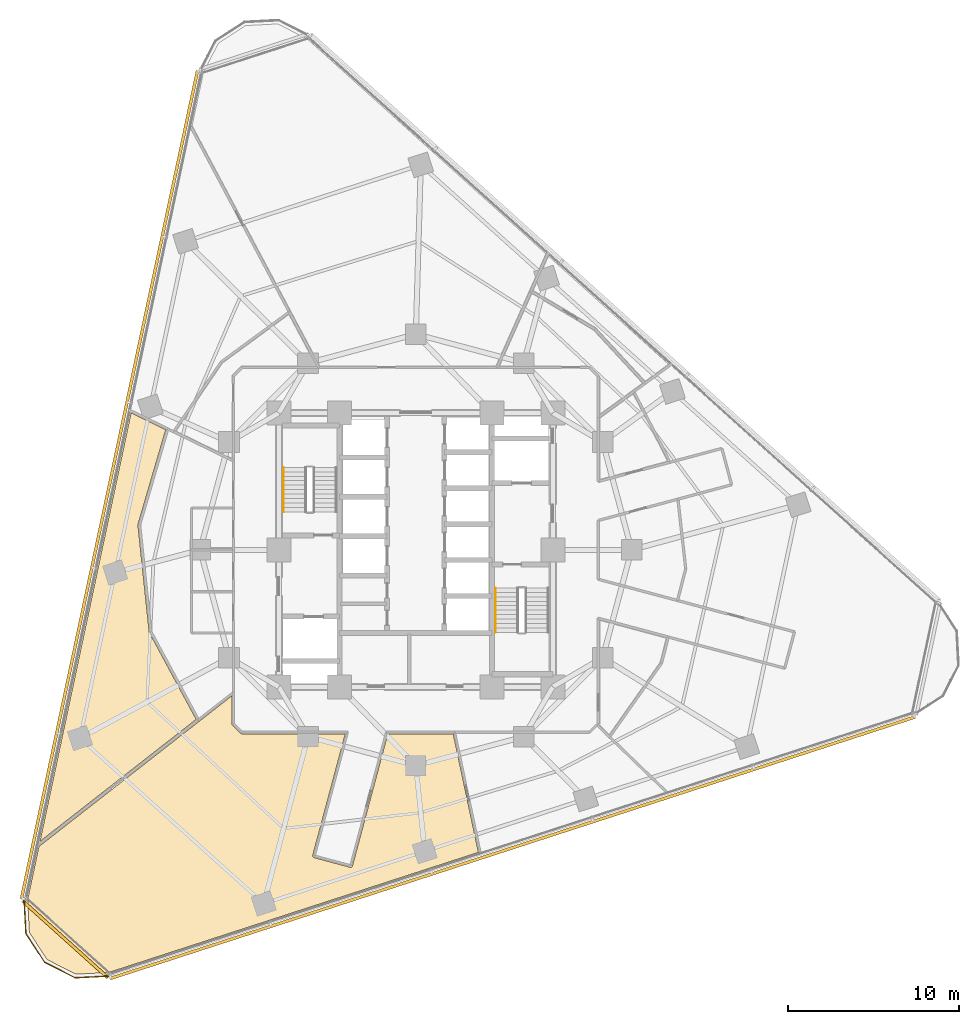
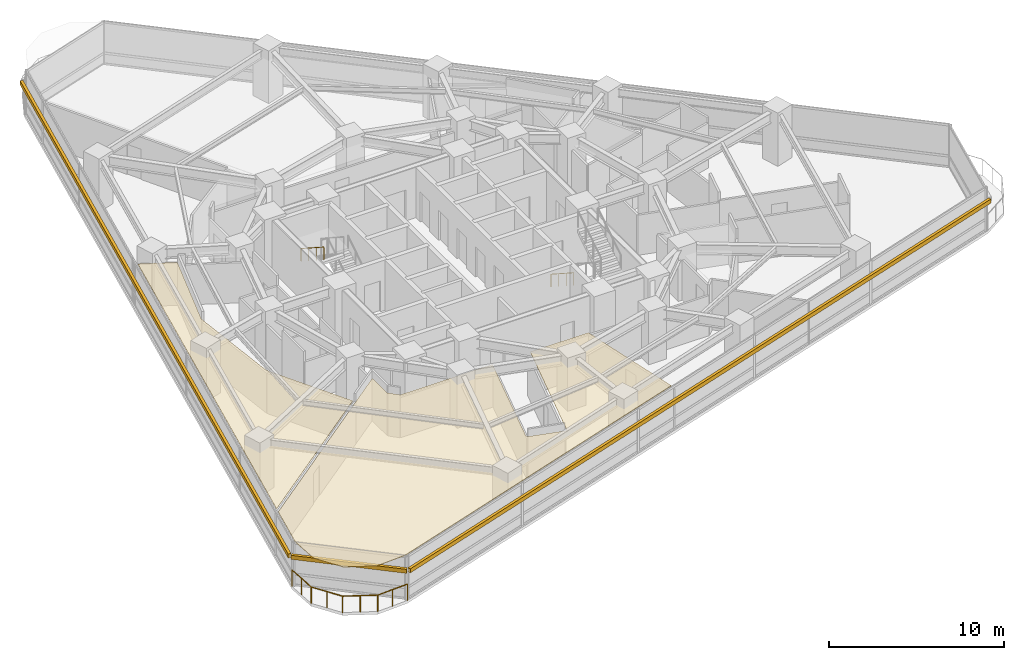
# One storey, part 11 of 13: 3 railings, 3 shading devices, 2 coverings.
"""IFC4 building model written with IfcOpenShell, lengths in metres."""

from ifc_helpers import new_model, si_unit, direction, frame, origin, origin_2d, place, context, subcontext, project, spatial, polyline, rectangle, circle, outline, extrude, material, layer, layer_set, type_object, element, save


model = new_model("IFC4")

# Units and contexts
model_context = context("Model", 3, precision=1e-05, world=origin(), true_north=direction((0.0, 1.0)))
body_context = subcontext(model_context, "Body", "Model", "MODEL_VIEW")
ifc_project = project(units=[si_unit("LENGTHUNIT", "METRE"), si_unit("AREAUNIT", "SQUARE_METRE"), si_unit("VOLUMEUNIT", "CUBIC_METRE"), si_unit("PLANEANGLEUNIT", "RADIAN"), si_unit("MASSUNIT", "GRAM", prefix="KILO")], contexts=[model_context])

# Site, building, storey
site_placement = place(None, origin())
site = spatial("IfcSite", under=ifc_project, at=site_placement, CompositionType="ELEMENT")
building_placement = place(site_placement, origin())
building = spatial("IfcBuilding", under=site, at=building_placement, Name="Terralouvre Media Tower", CompositionType="ELEMENT")
storey_placement = place(building_placement, frame((0.0, 0.0, 101.39990234375)))
storey = spatial("IfcBuildingStorey", under=building, at=storey_placement, Name="L25", CompositionType="ELEMENT", Elevation=101.39990234375)

# Coverings
ifc_material_1 = material(Name="Perforated aluminium acoustic ceiling baffle", Category="aluminium")
ifc_layer_1 = layer(ifc_material_1, 0.0400390625, Name="Perforated Acoustic Metal Tile Ceiling CL-AC1")
ifc_layer_set_1 = layer_set([ifc_layer_1], Name="Perforated aluminium acoustic ceiling baffle")
covering_type = type_object("IfcCoveringType", Name="Perforated Acoustic Metal Tile Ceiling CL-AC1", PredefinedType="CEILING", material=ifc_layer_set_1)
covering_1_placement = place(storey_placement, frame((0.0, 0.0, 2.97998046875), z_axis=(0.0, 0.0, 1.0), x_axis=(0.951056516295, 0.309016994375, 0.0)))
element("IfcCovering", 1, at=covering_1_placement, inside=storey, type_object=covering_type, Name="L25 Nutrition Tea Pantry 1 Acoustic Ceiling", PredefinedType="CEILING", context=body_context, shape_type="SweptSolid", body=[
    extrude(outline(polyline([(-4.880126953125, -9.717529296875), (-9.232421875, -16.420654296875), (-9.23828125, -16.428466796875), (-9.24462890625, -16.435791015625), (-9.251953125, -16.442626953125), (-9.259765625, -16.448486328125), (-9.26806640625, -16.45361328125), (-9.27685546875, -16.4580078125), (-9.2861328125, -16.46142578125), (-9.295654296875, -16.4638671875), (-9.30517578125, -16.465576171875), (-9.31494140625, -16.466064453125), (-9.324951171875, -16.4658203125), (-9.33447265625, -16.46435546875), (-9.343994140625, -16.462158203125), (-9.353515625, -16.458984375), (-9.3623046875, -16.454833984375), (-9.370849609375, -16.449951171875), (-11.216064453125, -15.252197265625), (-11.223876953125, -15.246337890625), (-11.231201171875, -15.239990234375), (-11.238037109375, -15.232666015625), (-11.243896484375, -15.224853515625), (-11.249267578125, -15.216552734375), (-11.25341796875, -15.207763671875), (-11.2568359375, -15.198486328125), (-11.25927734375, -15.18896484375), (-11.260986328125, -15.179443359375), (-11.261474609375, -15.16943359375), (-11.26123046875, -15.15966796875), (-11.259765625, -15.150146484375), (-11.257568359375, -15.140625), (-11.25439453125, -15.13134765625), (-11.25048828125, -15.122314453125), (-11.245361328125, -15.11376953125), (-7.242431640625, -8.949951171875), (-12.97509765625, -7.08740234375), (-12.984375, -7.083740234375), (-12.9931640625, -7.07958984375), (-13.00146484375, -7.07421875), (-13.00927734375, -7.068359375), (-13.016357421875, -7.0615234375), (-13.022705078125, -7.05419921875), (-13.0283203125, -7.046142578125), (-13.033447265625, -7.03759765625), (-13.354248046875, -6.407470703125), (-13.3583984375, -6.398681640625), (-13.361572265625, -6.389404296875), (-13.36376953125, -6.379638671875), (-13.364990234375, -6.3701171875), (-13.365234375, -6.360107421875), (-13.364501953125, -6.350341796875), (-13.363037109375, -6.3408203125), (-13.3603515625, -6.331298828125), (-12.858642578125, -4.786865234375), (-15.115234375, -5.6083984375), (-26.292724609375, -9.676025390625), (-27.874755859375, -12.416748046875), (-28.372314453125, -14.27197265625), (-27.883056640625, -16.0986328125), (-26.54638671875, -17.434814453125), (-24.69140625, -17.932373046875), (-1.98486328125, -17.931884765625), (-1.245849609375, -10.8984375), (-4.880126953125, -9.717529296875)])), origin(), (0.0, 0.0, 1.0), 0.0400390625),
])
covering_2_placement = place(storey_placement, frame((0.0, 0.0, 2.97998046875), z_axis=(0.0, 0.0, 1.0), x_axis=(0.951056516295, 0.309016994375, 0.0)))
element("IfcCovering", 2, at=covering_2_placement, inside=storey, type_object=covering_type, Name="L25 Club Administration Office 7 Acoustic Ceiling", PredefinedType="CEILING", context=body_context, shape_type="SweptSolid", body=[
    extrude(outline(polyline([(-16.296142578125, 0.218017578125), (-16.297607421875, 0.2275390625), (-16.2978515625, 0.2373046875), (-16.29736328125, 0.2470703125), (-16.295654296875, 0.2568359375), (-14.991455078125, 6.39404296875), (-14.98876953125, 6.403564453125), (-14.9853515625, 6.41259765625), (-14.981201171875, 6.42138671875), (-14.97607421875, 6.4296875), (-11.727783203125, 11.186767578125), (-13.34521484375, 12.7490234375), (-26.13720703125, -9.40673828125), (-15.26318359375, -5.449462890625), (-16.296142578125, 0.218017578125)])), origin(), (0.0, 0.0, 1.0), 0.0400390625),
])

# Railings
ifc_material_2 = material(Name="Stainless steel 316 handrail and balustrade", Category="steel")
ifc_layer_2 = layer(ifc_material_2, 0.06005859375, Name="Roof Edge Safety Guardrail GR-ROOF1")
ifc_layer_set_2 = layer_set([ifc_layer_2], Name="Stainless steel 316 handrail and balustrade")
railing_type_1 = type_object("IfcRailingType", Name="Roof Edge Safety Guardrail GR-ROOF1", PredefinedType="GUARDRAIL", material=ifc_layer_set_2)
railing_placement = place(storey_placement, frame((-22.8837890625, -20.395751953125, 0.0)))
element("IfcRailing", 3, at=railing_placement, inside=storey, type_object=railing_type_1, Name="L25 Wind-Corner Perimeter Safety Guardrail C0", PredefinedType="GUARDRAIL", context=body_context, shape_type="SweptSolid", body=[
    extrude(circle(Radius=0.02099609375, at=origin_2d()), frame((0.0, 0.0, 1.12890625), z_axis=(0.05204188706, -0.998644902851, 0.0), x_axis=(0.998644902851, 0.05204188706, 0.0)), (0.0, 0.0, 1.0), 2.0078125),
    extrude(circle(Radius=0.02099609375, at=origin_2d()), frame((0.1044921875, -2.005126953125, 1.12890625), z_axis=(0.544556562485, -0.838724120468, 0.0), x_axis=(0.838724120468, 0.544556562485, 0.0)), (0.0, 0.0, 1.0), 2.007568359375),
    extrude(circle(Radius=0.02099609375, at=origin_2d()), frame((1.19775390625, -3.68896484375, 1.12890625), z_axis=(0.891070121909, -0.453865660566, 0.0), x_axis=(0.453865660566, 0.891070121909, 0.0)), (0.0, 0.0, 1.0), 2.007568359375),
    extrude(circle(Radius=0.02099609375, at=origin_2d()), frame((2.986572265625, -4.60009765625, 1.12890625), z_axis=(0.998619508244, 0.052526924091, 0.0), x_axis=(-0.052526924091, 0.998619508244, 0.0)), (0.0, 0.0, 1.0), 2.0078125),
    extrude(circle(Radius=0.01904296875, at=origin_2d()), origin(), (0.0, 0.0, 1.0), 1.10791015625),
    extrude(circle(Radius=0.01904296875, at=origin_2d()), frame((0.05224609375, -1.00244140625, 0.0)), (0.0, 0.0, 1.0), 1.10791015625),
    extrude(circle(Radius=0.01904296875, at=origin_2d()), frame((0.1044921875, -2.005126953125, 0.0)), (0.0, 0.0, 1.0), 1.10791015625),
    extrude(circle(Radius=0.01904296875, at=origin_2d()), frame((0.651123046875, -2.84716796875, 0.0)), (0.0, 0.0, 1.0), 1.10791015625),
    extrude(circle(Radius=0.01904296875, at=origin_2d()), frame((1.19775390625, -3.68896484375, 0.0)), (0.0, 0.0, 1.0), 1.10791015625),
    extrude(circle(Radius=0.01904296875, at=origin_2d()), frame((2.09228515625, -4.14453125, 0.0)), (0.0, 0.0, 1.0), 1.10791015625),
    extrude(circle(Radius=0.01904296875, at=origin_2d()), frame((2.986572265625, -4.60009765625, 0.0)), (0.0, 0.0, 1.0), 1.10791015625),
    extrude(circle(Radius=0.01904296875, at=origin_2d()), frame((3.9892578125, -4.54736328125, 0.0)), (0.0, 0.0, 1.0), 1.10791015625),
    extrude(circle(Radius=0.01904296875, at=origin_2d()), frame((4.99169921875, -4.49462890625, 0.0)), (0.0, 0.0, 1.0), 1.10791015625),
])
ifc_material_3 = material(Name="Stainless steel 316 handrail and balustrade", Category="steel")
ifc_layer_3 = layer(ifc_material_3, 0.050048828125, Name="Stair Flight Wall Handrail HR-INT1")
ifc_layer_set_3 = layer_set([ifc_layer_3], Name="Stainless steel 316 handrail and balustrade")
railing_type_2 = type_object("IfcRailingType", Name="Stair Flight Wall Handrail HR-INT1", PredefinedType="HANDRAIL", material=ifc_layer_set_3)
for number, where, name in (
    (4, (-7.72998046875, 4.820068359375, 2.018310546875), "L25 ST-01 stair handrail 2"),
    (5, (4.64990234375, -2.219970703125, 0.168212890625), "L25 ST-02 stair handrail 1"),
):
    element("IfcRailing", number, at=place(storey_placement, frame(where)), inside=storey, type_object=railing_type_2, Name=name, PredefinedType="HANDRAIL", context=body_context, shape_type="SweptSolid", body=[
        extrude(circle(Radius=0.02392578125, at=origin_2d()), frame((0.0, 0.0, 0.8759765625), z_axis=(0.0, -0.839648411786, 0.543130320075), x_axis=(1.0, 0.0, 0.0)), (0.0, 0.0, 1.0), 3.0966796875),
        extrude(circle(Radius=0.02099609375, at=origin_2d()), origin(), (0.0, 0.0, 1.0), 0.851806640625),
        extrude(circle(Radius=0.02099609375, at=origin_2d()), frame((0.0, -0.86669921875, 0.560546875)), (0.0, 0.0, 1.0), 0.851806640625),
        extrude(circle(Radius=0.02099609375, at=origin_2d()), frame((0.0, -1.7333984375, 1.121337890625)), (0.0, 0.0, 1.0), 0.851806640625),
        extrude(circle(Radius=0.02099609375, at=origin_2d()), frame((0.0, -2.60009765625, 1.681884765625)), (0.0, 0.0, 1.0), 0.851806640625),
    ])

# Shading devices
ifc_material_4 = material(Name="Extruded terracotta baguette sunshade louvres", Category="masonry")
shading_device_type = type_object("IfcShadingDeviceType", Name="Terracotta Baguette Sunshade Louvre Screen TB-LV1", PredefinedType="USERDEFINED", material=ifc_material_4)
for number, where, z_axis, x_axis, name in (
    (6, (5.652587890625, -17.396728515625, 2.02392578125), (0.0, 0.0, 1.0), (0.951056509451, 0.309017015439, 0.0), "CW-L25-F0 Terracotta Baguette Sunshade Louvre"),
    (7, (-17.892333984375, 3.80322265625, 2.02392578125), (0.0, 0.0, 1.0), (-0.207911643887, -0.978147610709, 0.0), "CW-L25-F2 Terracotta Baguette Sunshade Louvre"),
):
    element("IfcShadingDevice", number, at=place(storey_placement, frame(where, z_axis=z_axis, x_axis=x_axis)), inside=storey, type_object=shading_device_type, Name=name, ObjectType="BAGUETTE", PredefinedType="USERDEFINED", context=body_context, shape_type="SweptSolid", body=[
        extrude(rectangle(XDim=49.43994140625, YDim=0.179931640625, at=origin_2d()), origin(), (0.0, 0.0, 1.0), 0.280029296875),
    ])
shading_device_placement = place(storey_placement, frame((-20.478271484375, -22.743408203125, 2.02392578125), z_axis=(0.0, 0.0, 1.0), x_axis=(0.743144668471, -0.669130780732, 0.0)))
element("IfcShadingDevice", 8, at=shading_device_placement, inside=storey, type_object=shading_device_type, Name="CW-L25-C0 Terracotta Baguette Sunshade Louvre", ObjectType="BAGUETTE", PredefinedType="USERDEFINED", context=body_context, shape_type="SweptSolid", body=[
    extrude(rectangle(XDim=6.720458984375, YDim=0.179931640625, at=origin_2d()), origin(), (0.0, 0.0, 1.0), 0.280029296875),
])

save(model, "model.ifc")
